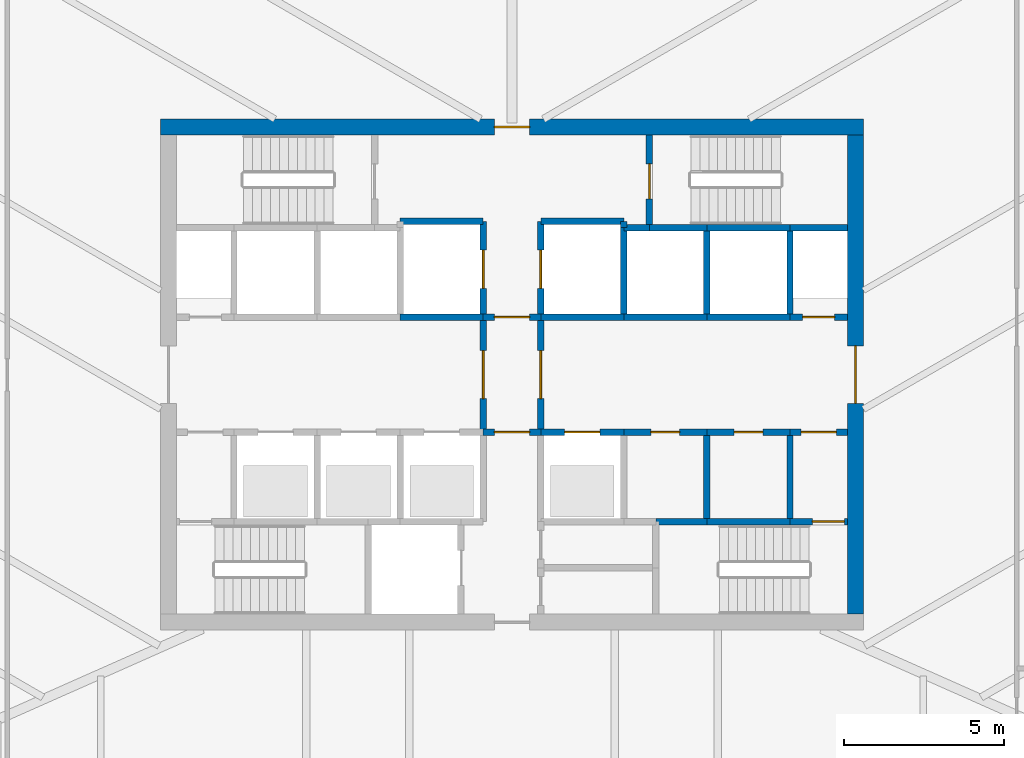
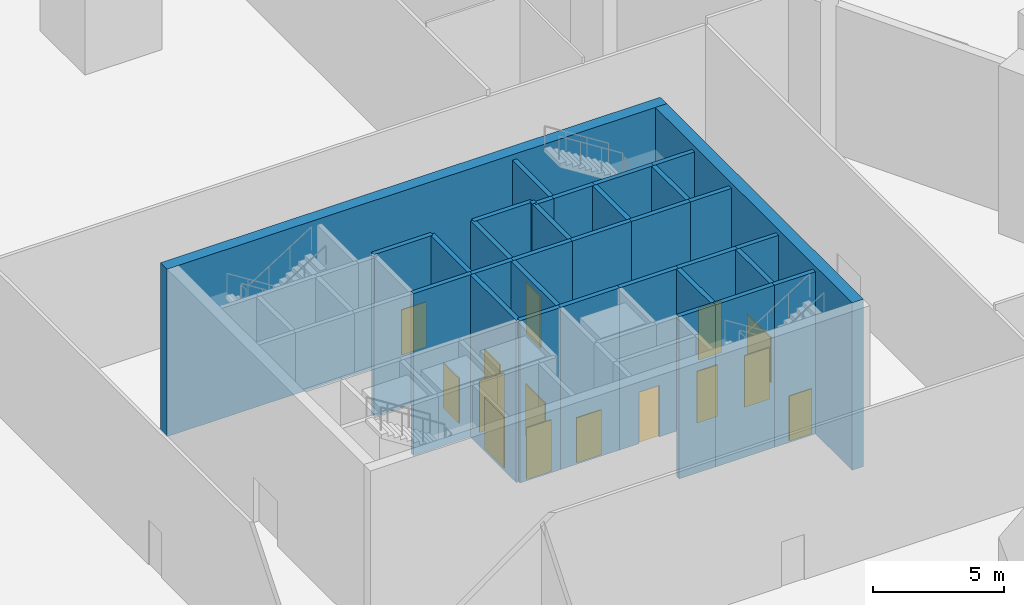
# One storey, part 10 of 20: 33 walls, 15 doors, 15 openings.
"""IFC4 building model written with IfcOpenShell, lengths in metres."""

from ifc_helpers import new_model, si_unit, direction, frame, frame_2d, origin, place, context, subcontext, project, spatial, rectangle, extrude, material, layer, layer_set, type_object, element, fill, save


model = new_model("IFC4")

# Units and contexts
model_context = context("Model", 3, precision=1e-05, world=origin(), true_north=direction((0.0, 1.0)))
body_context = subcontext(model_context, "Body", "Model", "MODEL_VIEW")
ifc_project = project(units=[si_unit("LENGTHUNIT", "METRE"), si_unit("AREAUNIT", "SQUARE_METRE"), si_unit("VOLUMEUNIT", "CUBIC_METRE"), si_unit("PLANEANGLEUNIT", "RADIAN"), si_unit("MASSUNIT", "GRAM", prefix="KILO")], contexts=[model_context])

# Site, building, storey
site_placement = place(None, origin())
site = spatial("IfcSite", under=ifc_project, at=site_placement, CompositionType="ELEMENT")
building_placement = place(site_placement, origin())
building = spatial("IfcBuilding", under=site, at=building_placement, Name="Sierra Prisma Convention Tower", CompositionType="ELEMENT")
storey_placement = place(building_placement, frame((0.0, 0.0, 9.0)))
storey = spatial("IfcBuildingStorey", under=building, at=storey_placement, Name="L01", CompositionType="ELEMENT", Elevation=9.0)

# Wall
ifc_material_1 = material(Name="Concrete C30/37", Category="concrete")
ifc_layer_1 = layer(ifc_material_1, 0.199951171875)
ifc_layer_set_1 = layer_set([ifc_layer_1], Name="Core wall RC 200 C30/37")
wall_type_1 = type_object("IfcWallType", Name="Core wall RC 200 C30/37", PredefinedType="SOLIDWALL", material=ifc_layer_set_1)
wall_1_placement = place(storey_placement, frame((-0.89990234375, 1.800048828125, 0.0), z_axis=(0.0, 0.0, 1.0), x_axis=(-1.0, 0.0, 0.0)))
element("IfcWall", 1, at=wall_1_placement, inside=storey, type_object=wall_type_1, Name="Core wall L01 24", PredefinedType="SOLIDWALL", context=body_context, shape_type="SweptSolid", body=[
    extrude(rectangle(XDim=2.60009765625, YDim=0.199951171875, at=frame_2d((1.300048828125, 0.0))), origin(), (0.0, 0.0, 1.0), 7.550048828125),
])

# Wall, opening, door
wall_2_placement = place(storey_placement, frame((-0.89990234375, 1.800048828125, 0.0), z_axis=(0.0, 0.0, 1.0), x_axis=(0.0, 1.0, 0.0)))
wall_2 = element("IfcWall", 2, at=wall_2_placement, inside=storey, type_object=wall_type_1, Name="Core wall L01 26", PredefinedType="SOLIDWALL", context=body_context, shape_type="SweptSolid", body=[
    extrude(rectangle(XDim=3.0, YDim=0.199951171875, at=frame_2d((1.5, 0.0))), origin(), (0.0, 0.0, 1.0), 7.550048828125),
])
opening_1_placement = place(wall_2_placement, frame((0.89990234375, 0.0, 0.0)))
opening_1 = element("IfcOpeningElement", 3, at=opening_1_placement, cuts=wall_2, Name="Opening L01-D005", PredefinedType="OPENING", context=body_context, shape_type="SweptSolid", body=[
    extrude(rectangle(XDim=1.199951171875, YDim=2.10009765625, at=frame_2d((0.60009765625, 1.050048828125))), frame((0.0, 0.10009765625, 0.0), z_axis=(0.0, -1.0, 0.0), x_axis=(1.0, 0.0, 0.0)), (0.0, 0.0, 1.0), 0.199951171875),
])
ifc_material_2 = material(Name="Steel fire door leaf", Category="steel")
door_type_1 = type_object("IfcDoorType", Name="Door 1200x2100 EI 90 sliding lift landing", OperationType="SLIDING_TO_LEFT", PredefinedType="DOOR", material=ifc_material_2)
door_1_placement = place(opening_1_placement, origin())
door_1 = element("IfcDoor", 4, at=door_1_placement, inside=storey, type_object=door_type_1, Name="Door L01 14", OperationType="SLIDING_TO_LEFT", OverallHeight=2.10009765625, OverallWidth=1.199951171875, PredefinedType="DOOR", context=body_context, shape_type="SweptSolid", body=[
    extrude(rectangle(XDim=1.199951171875, YDim=2.10009765625, at=frame_2d((0.60009765625, 1.050048828125))), frame((0.0, 0.02490234375, 0.0), z_axis=(0.0, -1.0, 0.0), x_axis=(1.0, 0.0, 0.0)), (0.0, 0.0, 1.0), 0.050048828125),
])
fill(opening_1, door_1)

# Wall
wall_3_placement = place(storey_placement, frame((-0.89990234375, 4.800048828125, 0.0), z_axis=(0.0, 0.0, 1.0), x_axis=(-1.0, 0.0, 0.0)))
element("IfcWall", 5, at=wall_3_placement, inside=storey, type_object=wall_type_1, Name="Core wall L01 27", PredefinedType="SOLIDWALL", context=body_context, shape_type="SweptSolid", body=[
    extrude(rectangle(XDim=2.60009765625, YDim=0.199951171875, at=frame_2d((1.300048828125, 0.0))), origin(), (0.0, 0.0, 1.0), 7.550048828125),
])

# Wall, opening, door
wall_4_placement = place(storey_placement, frame((-0.89990234375, -1.800048828125, 0.0), z_axis=(0.0, 0.0, 1.0), x_axis=(1.0, 0.0, 0.0)))
wall_4 = element("IfcWall", 6, at=wall_4_placement, inside=storey, type_object=wall_type_1, Name="Core wall L01 32", PredefinedType="SOLIDWALL", context=body_context, shape_type="SweptSolid", body=[
    extrude(rectangle(XDim=1.7998046875, YDim=0.199951171875, at=frame_2d((0.89990234375, 0.0))), origin(), (0.0, 0.0, 1.0), 7.550048828125),
])
opening_2_placement = place(wall_4_placement, frame((0.35009765625, 0.0, 0.0)))
opening_2 = element("IfcOpeningElement", 7, at=opening_2_placement, cuts=wall_4, Name="Opening L01-D013", PredefinedType="OPENING", context=body_context, shape_type="SweptSolid", body=[
    extrude(rectangle(XDim=1.10009765625, YDim=2.39990234375, at=frame_2d((0.550048828125, 1.199951171875))), frame((0.0, 0.10009765625, 0.0), z_axis=(0.0, -1.0, 0.0), x_axis=(1.0, 0.0, 0.0)), (0.0, 0.0, 1.0), 0.199951171875),
])
ifc_material_3 = material(Name="Steel fire door leaf", Category="steel")
door_type_2 = type_object("IfcDoorType", Name="Door 1100x2400 FD30S", OperationType="SINGLE_SWING_LEFT", PredefinedType="DOOR", material=ifc_material_3)
door_2_placement = place(opening_2_placement, origin())
door_2 = element("IfcDoor", 8, at=door_2_placement, inside=storey, type_object=door_type_2, Name="Door L01 22", OperationType="SINGLE_SWING_RIGHT", OverallHeight=2.39990234375, OverallWidth=1.10009765625, PredefinedType="DOOR", context=body_context, shape_type="SweptSolid", body=[
    extrude(rectangle(XDim=1.10009765625, YDim=2.39990234375, at=frame_2d((0.550048828125, 1.199951171875))), frame((0.0, 0.02490234375, 0.0), z_axis=(0.0, -1.0, 0.0), x_axis=(1.0, 0.0, 0.0)), (0.0, 0.0, 1.0), 0.050048828125),
])
fill(opening_2, door_2)

wall_5_placement = place(storey_placement, frame((-0.89990234375, 1.800048828125, 0.0), z_axis=(0.0, 0.0, 1.0), x_axis=(0.0, -1.0, 0.0)))
wall_5 = element("IfcWall", 9, at=wall_5_placement, inside=storey, type_object=wall_type_1, Name="Core wall L01 33", PredefinedType="SOLIDWALL", context=body_context, shape_type="SweptSolid", body=[
    extrude(rectangle(XDim=3.60009765625, YDim=0.199951171875, at=frame_2d((1.800048828125, 0.0))), origin(), (0.0, 0.0, 1.0), 7.550048828125),
])
opening_3_placement = place(wall_5_placement, frame((1.050048828125, 0.0, 0.0)))
opening_3 = element("IfcOpeningElement", 10, at=opening_3_placement, cuts=wall_5, Name="Opening L01-D008", PredefinedType="OPENING", context=body_context, shape_type="SweptSolid", body=[
    extrude(rectangle(XDim=1.5, YDim=2.39990234375, at=frame_2d((0.75, 1.199951171875))), frame((0.0, 0.10009765625, 0.0), z_axis=(0.0, -1.0, 0.0), x_axis=(1.0, 0.0, 0.0)), (0.0, 0.0, 1.0), 0.199951171875),
])
ifc_material_4 = material(Name="Steel fire door leaf", Category="steel")
door_type_3 = type_object("IfcDoorType", Name="Door 1500x2400 FD30S", OperationType="DOUBLE_DOOR_SINGLE_SWING", PredefinedType="DOOR", material=ifc_material_4)
door_3_placement = place(opening_3_placement, origin())
door_3 = element("IfcDoor", 11, at=door_3_placement, inside=storey, type_object=door_type_3, Name="Door L01 17", OperationType="DOUBLE_DOOR_SINGLE_SWING", OverallHeight=2.39990234375, OverallWidth=1.5, PredefinedType="DOOR", context=body_context, shape_type="SweptSolid", body=[
    extrude(rectangle(XDim=1.5, YDim=2.39990234375, at=frame_2d((0.75, 1.199951171875))), frame((0.0, 0.02490234375, 0.0), z_axis=(0.0, -1.0, 0.0), x_axis=(1.0, 0.0, 0.0)), (0.0, 0.0, 1.0), 0.050048828125),
])
fill(opening_3, door_3)

wall_6_placement = place(storey_placement, frame((0.89990234375, 1.800048828125, 0.0), z_axis=(0.0, 0.0, 1.0), x_axis=(-1.0, 0.0, 0.0)))
wall_6 = element("IfcWall", 12, at=wall_6_placement, inside=storey, type_object=wall_type_1, Name="Core wall L01 34", PredefinedType="SOLIDWALL", context=body_context, shape_type="SweptSolid", body=[
    extrude(rectangle(XDim=1.7998046875, YDim=0.199951171875, at=frame_2d((0.89990234375, 0.0))), origin(), (0.0, 0.0, 1.0), 7.550048828125),
])
opening_4_placement = place(wall_6_placement, frame((0.35009765625, 0.0, 0.0)))
opening_4 = element("IfcOpeningElement", 13, at=opening_4_placement, cuts=wall_6, Name="Opening L01-D012", PredefinedType="OPENING", context=body_context, shape_type="SweptSolid", body=[
    extrude(rectangle(XDim=1.10009765625, YDim=2.39990234375, at=frame_2d((0.550048828125, 1.199951171875))), frame((0.0, 0.10009765625, 0.0), z_axis=(0.0, -1.0, 0.0), x_axis=(1.0, 0.0, 0.0)), (0.0, 0.0, 1.0), 0.199951171875),
])
ifc_material_5 = material(Name="Steel fire door leaf", Category="steel")
door_type_4 = type_object("IfcDoorType", Name="Door 1100x2400 FD60S", OperationType="SINGLE_SWING_LEFT", PredefinedType="DOOR", material=ifc_material_5)
door_4_placement = place(opening_4_placement, origin())
door_4 = element("IfcDoor", 14, at=door_4_placement, inside=storey, type_object=door_type_4, Name="Door L01 21", OperationType="SINGLE_SWING_RIGHT", OverallHeight=2.39990234375, OverallWidth=1.10009765625, PredefinedType="DOOR", context=body_context, shape_type="SweptSolid", body=[
    extrude(rectangle(XDim=1.10009765625, YDim=2.39990234375, at=frame_2d((0.550048828125, 1.199951171875))), frame((0.0, 0.02490234375, 0.0), z_axis=(0.0, -1.0, 0.0), x_axis=(1.0, 0.0, 0.0)), (0.0, 0.0, 1.0), 0.050048828125),
])
fill(opening_4, door_4)

wall_7_placement = place(storey_placement, frame((0.89990234375, -1.800048828125, 0.0), z_axis=(0.0, 0.0, 1.0), x_axis=(1.0, 0.0, 0.0)))
wall_7 = element("IfcWall", 15, at=wall_7_placement, inside=storey, type_object=wall_type_1, Name="Core wall L01 40", PredefinedType="SOLIDWALL", context=body_context, shape_type="SweptSolid", body=[
    extrude(rectangle(XDim=2.60009765625, YDim=0.199951171875, at=frame_2d((1.300048828125, 0.0))), origin(), (0.0, 0.0, 1.0), 7.550048828125),
])
opening_5_placement = place(wall_7_placement, frame((0.75, 0.0, 0.0)))
opening_5 = element("IfcOpeningElement", 16, at=opening_5_placement, cuts=wall_7, Name="Opening L01-D004", PredefinedType="OPENING", context=body_context, shape_type="SweptSolid", body=[
    extrude(rectangle(XDim=1.10009765625, YDim=2.10009765625, at=frame_2d((0.550048828125, 1.050048828125))), frame((0.0, 0.10009765625, 0.0), z_axis=(0.0, -1.0, 0.0), x_axis=(1.0, 0.0, 0.0)), (0.0, 0.0, 1.0), 0.199951171875),
])
ifc_material_6 = material(Name="Steel fire door leaf", Category="steel")
door_type_5 = type_object("IfcDoorType", Name="Door 1100x2100 EI 90 sliding lift landing", OperationType="SLIDING_TO_LEFT", PredefinedType="DOOR", material=ifc_material_6)
door_5_placement = place(opening_5_placement, origin())
door_5 = element("IfcDoor", 17, at=door_5_placement, inside=storey, type_object=door_type_5, Name="Door L01 13", OperationType="SLIDING_TO_LEFT", OverallHeight=2.10009765625, OverallWidth=1.10009765625, PredefinedType="DOOR", context=body_context, shape_type="SweptSolid", body=[
    extrude(rectangle(XDim=1.10009765625, YDim=2.10009765625, at=frame_2d((0.550048828125, 1.050048828125))), frame((0.0, 0.02490234375, 0.0), z_axis=(0.0, -1.0, 0.0), x_axis=(1.0, 0.0, 0.0)), (0.0, 0.0, 1.0), 0.050048828125),
])
fill(opening_5, door_5)

wall_8_placement = place(storey_placement, frame((0.89990234375, -1.800048828125, 0.0), z_axis=(0.0, 0.0, 1.0), x_axis=(0.0, 1.0, 0.0)))
wall_8 = element("IfcWall", 18, at=wall_8_placement, inside=storey, type_object=wall_type_1, Name="Core wall L01 41", PredefinedType="SOLIDWALL", context=body_context, shape_type="SweptSolid", body=[
    extrude(rectangle(XDim=3.60009765625, YDim=0.199951171875, at=frame_2d((1.800048828125, 0.0))), origin(), (0.0, 0.0, 1.0), 7.550048828125),
])
opening_6_placement = place(wall_8_placement, frame((1.050048828125, 0.0, 0.0)))
opening_6 = element("IfcOpeningElement", 19, at=opening_6_placement, cuts=wall_8, Name="Opening L01-D009", PredefinedType="OPENING", context=body_context, shape_type="SweptSolid", body=[
    extrude(rectangle(XDim=1.5, YDim=2.39990234375, at=frame_2d((0.75, 1.199951171875))), frame((0.0, 0.10009765625, 0.0), z_axis=(0.0, -1.0, 0.0), x_axis=(1.0, 0.0, 0.0)), (0.0, 0.0, 1.0), 0.199951171875),
])
door_6_placement = place(opening_6_placement, origin())
door_6 = element("IfcDoor", 20, at=door_6_placement, inside=storey, type_object=door_type_3, Name="Door L01 18", OperationType="DOUBLE_DOOR_SINGLE_SWING", OverallHeight=2.39990234375, OverallWidth=1.5, PredefinedType="DOOR", context=body_context, shape_type="SweptSolid", body=[
    extrude(rectangle(XDim=1.5, YDim=2.39990234375, at=frame_2d((0.75, 1.199951171875))), frame((0.0, 0.02490234375, 0.0), z_axis=(0.0, -1.0, 0.0), x_axis=(1.0, 0.0, 0.0)), (0.0, 0.0, 1.0), 0.050048828125),
])
fill(opening_6, door_6)

# Walls
wall_9_placement = place(storey_placement, frame((3.5, 1.800048828125, 0.0), z_axis=(0.0, 0.0, 1.0), x_axis=(-1.0, 0.0, 0.0)))
element("IfcWall", 21, at=wall_9_placement, inside=storey, type_object=wall_type_1, Name="Core wall L01 42", PredefinedType="SOLIDWALL", context=body_context, shape_type="SweptSolid", body=[
    extrude(rectangle(XDim=2.60009765625, YDim=0.199951171875, at=frame_2d((1.300048828125, 0.0))), origin(), (0.0, 0.0, 1.0), 7.550048828125),
])
wall_10_placement = place(storey_placement, frame((3.5, 4.60009765625, 0.0), z_axis=(0.0, 0.0, 1.0), x_axis=(0.0, 1.0, 0.0)))
element("IfcWall", 22, at=wall_10_placement, inside=storey, type_object=wall_type_1, Name="Core wall L01 43", PredefinedType="SOLIDWALL", context=body_context, shape_type="SweptSolid", body=[
    extrude(rectangle(XDim=0.199951171875, YDim=0.199951171875, at=frame_2d((0.10009765625, 0.0))), origin(), (0.0, 0.0, 1.0), 7.550048828125),
])
wall_11_placement = place(storey_placement, frame((3.5, 4.800048828125, 0.0), z_axis=(0.0, 0.0, 1.0), x_axis=(-1.0, 0.0, 0.0)))
element("IfcWall", 23, at=wall_11_placement, inside=storey, type_object=wall_type_1, Name="Core wall L01 44", PredefinedType="SOLIDWALL", context=body_context, shape_type="SweptSolid", body=[
    extrude(rectangle(XDim=2.60009765625, YDim=0.199951171875, at=frame_2d((1.300048828125, 0.0))), origin(), (0.0, 0.0, 1.0), 7.550048828125),
])

# Wall, opening, door
wall_12_placement = place(storey_placement, frame((0.89990234375, 4.800048828125, 0.0), z_axis=(0.0, 0.0, 1.0), x_axis=(0.0, -1.0, 0.0)))
wall_12 = element("IfcWall", 24, at=wall_12_placement, inside=storey, type_object=wall_type_1, Name="Core wall L01 45", PredefinedType="SOLIDWALL", context=body_context, shape_type="SweptSolid", body=[
    extrude(rectangle(XDim=3.0, YDim=0.199951171875, at=frame_2d((1.5, 0.0))), origin(), (0.0, 0.0, 1.0), 7.550048828125),
])
opening_7_placement = place(wall_12_placement, frame((0.89990234375, 0.0, 0.0)))
opening_7 = element("IfcOpeningElement", 25, at=opening_7_placement, cuts=wall_12, Name="Opening L01-D006", PredefinedType="OPENING", context=body_context, shape_type="SweptSolid", body=[
    extrude(rectangle(XDim=1.199951171875, YDim=2.10009765625, at=frame_2d((0.60009765625, 1.050048828125))), frame((0.0, 0.10009765625, 0.0), z_axis=(0.0, -1.0, 0.0), x_axis=(1.0, 0.0, 0.0)), (0.0, 0.0, 1.0), 0.199951171875),
])
door_7_placement = place(opening_7_placement, origin())
door_7 = element("IfcDoor", 26, at=door_7_placement, inside=storey, type_object=door_type_1, Name="Door L01 15", OperationType="SLIDING_TO_LEFT", OverallHeight=2.10009765625, OverallWidth=1.199951171875, PredefinedType="DOOR", context=body_context, shape_type="SweptSolid", body=[
    extrude(rectangle(XDim=1.199951171875, YDim=2.10009765625, at=frame_2d((0.60009765625, 1.050048828125))), frame((0.0, 0.02490234375, 0.0), z_axis=(0.0, -1.0, 0.0), x_axis=(1.0, 0.0, 0.0)), (0.0, 0.0, 1.0), 0.050048828125),
])
fill(opening_7, door_7)

wall_13_placement = place(storey_placement, frame((6.10009765625, -1.800048828125, 0.0), z_axis=(0.0, 0.0, 1.0), x_axis=(-1.0, 0.0, 0.0)))
wall_13 = element("IfcWall", 27, at=wall_13_placement, inside=storey, type_object=wall_type_1, Name="Core wall L01 48", PredefinedType="SOLIDWALL", context=body_context, shape_type="SweptSolid", body=[
    extrude(rectangle(XDim=2.60009765625, YDim=0.199951171875, at=frame_2d((1.300048828125, 0.0))), origin(), (0.0, 0.0, 1.0), 7.550048828125),
])
opening_8_placement = place(wall_13_placement, frame((0.85009765625, 0.0, 0.0)))
opening_8 = element("IfcOpeningElement", 28, at=opening_8_placement, cuts=wall_13, Name="Opening L01-D020", PredefinedType="OPENING", context=body_context, shape_type="SweptSolid", body=[
    extrude(rectangle(XDim=0.89990234375, YDim=2.39990234375, at=frame_2d((0.449951171875, 1.199951171875))), frame((0.0, 0.10009765625, 0.0), z_axis=(0.0, -1.0, 0.0), x_axis=(1.0, 0.0, 0.0)), (0.0, 0.0, 1.0), 0.199951171875),
])
ifc_material_7 = material(Name="Steel fire door leaf", Category="steel")
door_type_6 = type_object("IfcDoorType", Name="Door 900x2400 FD30S", OperationType="SINGLE_SWING_LEFT", PredefinedType="DOOR", material=ifc_material_7)
door_8_placement = place(opening_8_placement, origin())
door_8 = element("IfcDoor", 29, at=door_8_placement, inside=storey, type_object=door_type_6, Name="Door L01 29", OperationType="SINGLE_SWING_LEFT", OverallHeight=2.39990234375, OverallWidth=0.89990234375, PredefinedType="DOOR", context=body_context, shape_type="SweptSolid", body=[
    extrude(rectangle(XDim=0.89990234375, YDim=2.39990234375, at=frame_2d((0.449951171875, 1.199951171875))), frame((0.0, 0.02490234375, 0.0), z_axis=(0.0, -1.0, 0.0), x_axis=(1.0, 0.0, 0.0)), (0.0, 0.0, 1.0), 0.050048828125),
])
fill(opening_8, door_8)

# Walls
wall_14_placement = place(storey_placement, frame((6.10009765625, 1.800048828125, 0.0), z_axis=(0.0, 0.0, 1.0), x_axis=(-1.0, 0.0, 0.0)))
element("IfcWall", 30, at=wall_14_placement, inside=storey, type_object=wall_type_1, Name="Core wall L01 49", PredefinedType="SOLIDWALL", context=body_context, shape_type="SweptSolid", body=[
    extrude(rectangle(XDim=2.60009765625, YDim=0.199951171875, at=frame_2d((1.300048828125, 0.0))), origin(), (0.0, 0.0, 1.0), 7.550048828125),
])
wall_15_placement = place(storey_placement, frame((3.5, 1.800048828125, 0.0), z_axis=(0.0, 0.0, 1.0), x_axis=(0.0, 1.0, 0.0)))
element("IfcWall", 31, at=wall_15_placement, inside=storey, type_object=wall_type_1, Name="Core wall L01 50", PredefinedType="SOLIDWALL", context=body_context, shape_type="SweptSolid", body=[
    extrude(rectangle(XDim=2.800048828125, YDim=0.199951171875, at=frame_2d((1.39990234375, 0.0))), origin(), (0.0, 0.0, 1.0), 7.550048828125),
])
wall_16_placement = place(storey_placement, frame((4.300048828125, 4.60009765625, 0.0), z_axis=(0.0, 0.0, 1.0), x_axis=(-1.0, 0.0, 0.0)))
element("IfcWall", 32, at=wall_16_placement, inside=storey, type_object=wall_type_1, Name="Core wall L01 51", PredefinedType="SOLIDWALL", context=body_context, shape_type="SweptSolid", body=[
    extrude(rectangle(XDim=0.800048828125, YDim=0.199951171875, at=frame_2d((0.39990234375, 0.0))), origin(), (0.0, 0.0, 1.0), 7.550048828125),
])
wall_17_placement = place(storey_placement, frame((6.10009765625, 4.60009765625, 0.0), z_axis=(0.0, 0.0, 1.0), x_axis=(-1.0, 0.0, 0.0)))
element("IfcWall", 33, at=wall_17_placement, inside=storey, type_object=wall_type_1, Name="Core wall L01 52", PredefinedType="SOLIDWALL", context=body_context, shape_type="SweptSolid", body=[
    extrude(rectangle(XDim=1.800048828125, YDim=0.199951171875, at=frame_2d((0.89990234375, 0.0))), origin(), (0.0, 0.0, 1.0), 7.550048828125),
])

# Wall, opening, door
wall_18_placement = place(storey_placement, frame((4.300048828125, 7.5, 0.0), z_axis=(0.0, 0.0, 1.0), x_axis=(0.0, -1.0, 0.0)))
wall_18 = element("IfcWall", 34, at=wall_18_placement, inside=storey, type_object=wall_type_1, Name="Core wall L01 53", PredefinedType="SOLIDWALL", context=body_context, shape_type="SweptSolid", body=[
    extrude(rectangle(XDim=2.89990234375, YDim=0.199951171875, at=frame_2d((1.449951171875, 0.0))), origin(), (0.0, 0.0, 1.0), 7.550048828125),
])
opening_9_placement = place(wall_18_placement, frame((0.89990234375, 0.0, 0.0)))
opening_9 = element("IfcOpeningElement", 35, at=opening_9_placement, cuts=wall_18, Name="Opening L01-D019", PredefinedType="OPENING", context=body_context, shape_type="SweptSolid", body=[
    extrude(rectangle(XDim=1.10009765625, YDim=2.39990234375, at=frame_2d((0.550048828125, 1.199951171875))), frame((0.0, 0.10009765625, 0.0), z_axis=(0.0, -1.0, 0.0), x_axis=(1.0, 0.0, 0.0)), (0.0, 0.0, 1.0), 0.199951171875),
])
ifc_material_8 = material(Name="Steel fire door leaf", Category="steel")
door_type_7 = type_object("IfcDoorType", Name="Door 1100x2400 FD90S", OperationType="SINGLE_SWING_LEFT", PredefinedType="DOOR", material=ifc_material_8)
door_9_placement = place(opening_9_placement, origin())
door_9 = element("IfcDoor", 36, at=door_9_placement, inside=storey, type_object=door_type_7, Name="Door L01 28", OperationType="SINGLE_SWING_RIGHT", OverallHeight=2.39990234375, OverallWidth=1.10009765625, PredefinedType="DOOR", context=body_context, shape_type="SweptSolid", body=[
    extrude(rectangle(XDim=1.10009765625, YDim=2.39990234375, at=frame_2d((0.550048828125, 1.199951171875))), frame((0.0, 0.02490234375, 0.0), z_axis=(0.0, -1.0, 0.0), x_axis=(1.0, 0.0, 0.0)), (0.0, 0.0, 1.0), 0.050048828125),
])
fill(opening_9, door_9)

# Walls
wall_19_placement = place(storey_placement, frame((4.5, -4.60009765625, 0.0), z_axis=(0.0, 0.0, 1.0), x_axis=(1.0, 0.0, 0.0)))
element("IfcWall", 37, at=wall_19_placement, inside=storey, type_object=wall_type_1, Name="Core wall L01 56", PredefinedType="SOLIDWALL", context=body_context, shape_type="SweptSolid", body=[
    extrude(rectangle(XDim=1.60009765625, YDim=0.199951171875, at=frame_2d((0.800048828125, 0.0))), origin(), (0.0, 0.0, 1.0), 7.550048828125),
])
wall_20_placement = place(storey_placement, frame((6.10009765625, -4.60009765625, 0.0), z_axis=(0.0, 0.0, 1.0), x_axis=(1.0, 0.0, 0.0)))
element("IfcWall", 38, at=wall_20_placement, inside=storey, type_object=wall_type_1, Name="Core wall L01 57", PredefinedType="SOLIDWALL", context=body_context, shape_type="SweptSolid", body=[
    extrude(rectangle(XDim=2.599853515625, YDim=0.199951171875, at=frame_2d((1.2998046875, 0.0))), origin(), (0.0, 0.0, 1.0), 7.550048828125),
])
wall_21_placement = place(storey_placement, frame((6.10009765625, -4.60009765625, 0.0), z_axis=(0.0, 0.0, 1.0), x_axis=(0.0, 1.0, 0.0)))
element("IfcWall", 39, at=wall_21_placement, inside=storey, type_object=wall_type_1, Name="Core wall L01 58", PredefinedType="SOLIDWALL", context=body_context, shape_type="SweptSolid", body=[
    extrude(rectangle(XDim=2.800048828125, YDim=0.199951171875, at=frame_2d((1.39990234375, 0.0))), origin(), (0.0, 0.0, 1.0), 7.550048828125),
])

# Wall, opening, door
wall_22_placement = place(storey_placement, frame((8.699951171875, -1.800048828125, 0.0), z_axis=(0.0, 0.0, 1.0), x_axis=(-1.0, 0.0, 0.0)))
wall_22 = element("IfcWall", 40, at=wall_22_placement, inside=storey, type_object=wall_type_1, Name="Core wall L01 59", PredefinedType="SOLIDWALL", context=body_context, shape_type="SweptSolid", body=[
    extrude(rectangle(XDim=2.599853515625, YDim=0.199951171875, at=frame_2d((1.2998046875, 0.0))), origin(), (0.0, 0.0, 1.0), 7.550048828125),
])
opening_10_placement = place(wall_22_placement, frame((0.85009765625, 0.0, 0.0)))
opening_10 = element("IfcOpeningElement", 41, at=opening_10_placement, cuts=wall_22, Name="Opening L01-D021", PredefinedType="OPENING", context=body_context, shape_type="SweptSolid", body=[
    extrude(rectangle(XDim=0.89990234375, YDim=2.39990234375, at=frame_2d((0.449951171875, 1.199951171875))), frame((0.0, 0.10009765625, 0.0), z_axis=(0.0, -1.0, 0.0), x_axis=(1.0, 0.0, 0.0)), (0.0, 0.0, 1.0), 0.199951171875),
])
door_10_placement = place(opening_10_placement, origin())
door_10 = element("IfcDoor", 42, at=door_10_placement, inside=storey, type_object=door_type_6, Name="Door L01 30", OperationType="SINGLE_SWING_RIGHT", OverallHeight=2.39990234375, OverallWidth=0.89990234375, PredefinedType="DOOR", context=body_context, shape_type="SweptSolid", body=[
    extrude(rectangle(XDim=0.89990234375, YDim=2.39990234375, at=frame_2d((0.449951171875, 1.199951171875))), frame((0.0, 0.02490234375, 0.0), z_axis=(0.0, -1.0, 0.0), x_axis=(1.0, 0.0, 0.0)), (0.0, 0.0, 1.0), 0.050048828125),
])
fill(opening_10, door_10)

# Walls
wall_23_placement = place(storey_placement, frame((8.699951171875, 1.800048828125, 0.0), z_axis=(0.0, 0.0, 1.0), x_axis=(-1.0, 0.0, 0.0)))
element("IfcWall", 43, at=wall_23_placement, inside=storey, type_object=wall_type_1, Name="Core wall L01 60", PredefinedType="SOLIDWALL", context=body_context, shape_type="SweptSolid", body=[
    extrude(rectangle(XDim=2.599853515625, YDim=0.199951171875, at=frame_2d((1.2998046875, 0.0))), origin(), (0.0, 0.0, 1.0), 7.550048828125),
])
wall_24_placement = place(storey_placement, frame((6.10009765625, 1.800048828125, 0.0), z_axis=(0.0, 0.0, 1.0), x_axis=(0.0, 1.0, 0.0)))
element("IfcWall", 44, at=wall_24_placement, inside=storey, type_object=wall_type_1, Name="Core wall L01 61", PredefinedType="SOLIDWALL", context=body_context, shape_type="SweptSolid", body=[
    extrude(rectangle(XDim=2.800048828125, YDim=0.199951171875, at=frame_2d((1.39990234375, 0.0))), origin(), (0.0, 0.0, 1.0), 7.550048828125),
])
wall_25_placement = place(storey_placement, frame((8.699951171875, 4.60009765625, 0.0), z_axis=(0.0, 0.0, 1.0), x_axis=(-1.0, 0.0, 0.0)))
element("IfcWall", 45, at=wall_25_placement, inside=storey, type_object=wall_type_1, Name="Core wall L01 62", PredefinedType="SOLIDWALL", context=body_context, shape_type="SweptSolid", body=[
    extrude(rectangle(XDim=2.599853515625, YDim=0.199951171875, at=frame_2d((1.2998046875, 0.0))), origin(), (0.0, 0.0, 1.0), 7.550048828125),
])

# Wall, opening, door
wall_26_placement = place(storey_placement, frame((8.699951171875, -4.60009765625, 0.0), z_axis=(0.0, 0.0, 1.0), x_axis=(1.0, 0.0, 0.0)))
wall_26 = element("IfcWall", 46, at=wall_26_placement, inside=storey, type_object=wall_type_1, Name="Core wall L01 63", PredefinedType="SOLIDWALL", context=body_context, shape_type="SweptSolid", body=[
    extrude(rectangle(XDim=1.800048828125, YDim=0.199951171875, at=frame_2d((0.89990234375, 0.0))), origin(), (0.0, 0.0, 1.0), 7.550048828125),
])
opening_11_placement = place(wall_26_placement, frame((0.699951171875, 0.0, 0.0)))
opening_11 = element("IfcOpeningElement", 47, at=opening_11_placement, cuts=wall_26, Name="Opening L01-D017", PredefinedType="OPENING", context=body_context, shape_type="SweptSolid", body=[
    extrude(rectangle(XDim=1.0, YDim=2.10009765625, at=frame_2d((0.5, 1.050048828125))), frame((0.0, 0.10009765625, 0.0), z_axis=(0.0, -1.0, 0.0), x_axis=(1.0, 0.0, 0.0)), (0.0, 0.0, 1.0), 0.199951171875),
])
ifc_material_9 = material(Name="Steel fire door leaf", Category="steel")
door_type_8 = type_object("IfcDoorType", Name="Door 1000x2100 FD90S", OperationType="SINGLE_SWING_LEFT", PredefinedType="DOOR", material=ifc_material_9)
door_11_placement = place(opening_11_placement, origin())
door_11 = element("IfcDoor", 48, at=door_11_placement, inside=storey, type_object=door_type_8, Name="Door L01 26", OperationType="SINGLE_SWING_RIGHT", OverallHeight=2.10009765625, OverallWidth=1.0, PredefinedType="DOOR", context=body_context, shape_type="SweptSolid", body=[
    extrude(rectangle(XDim=1.0, YDim=2.10009765625, at=frame_2d((0.5, 1.050048828125))), frame((0.0, 0.02490234375, 0.0), z_axis=(0.0, -1.0, 0.0), x_axis=(1.0, 0.0, 0.0)), (0.0, 0.0, 1.0), 0.050048828125),
])
fill(opening_11, door_11)

# Wall
wall_27_placement = place(storey_placement, frame((8.699951171875, -4.60009765625, 0.0), z_axis=(0.0, 0.0, 1.0), x_axis=(0.0, 1.0, 0.0)))
element("IfcWall", 49, at=wall_27_placement, inside=storey, type_object=wall_type_1, Name="Core wall L01 64", PredefinedType="SOLIDWALL", context=body_context, shape_type="SweptSolid", body=[
    extrude(rectangle(XDim=2.800048828125, YDim=0.199951171875, at=frame_2d((1.39990234375, 0.0))), origin(), (0.0, 0.0, 1.0), 7.550048828125),
])

# Wall, opening, door
wall_28_placement = place(storey_placement, frame((8.699951171875, -1.800048828125, 0.0), z_axis=(0.0, 0.0, 1.0), x_axis=(1.0, 0.0, 0.0)))
wall_28 = element("IfcWall", 50, at=wall_28_placement, inside=storey, type_object=wall_type_1, Name="Core wall L01 65", PredefinedType="SOLIDWALL", context=body_context, shape_type="SweptSolid", body=[
    extrude(rectangle(XDim=1.800048828125, YDim=0.199951171875, at=frame_2d((0.89990234375, 0.0))), origin(), (0.0, 0.0, 1.0), 7.550048828125),
])
opening_12_placement = place(wall_28_placement, frame((0.35009765625, 0.0, 0.0)))
opening_12 = element("IfcOpeningElement", 51, at=opening_12_placement, cuts=wall_28, Name="Opening L01-D011", PredefinedType="OPENING", context=body_context, shape_type="SweptSolid", body=[
    extrude(rectangle(XDim=1.10009765625, YDim=2.39990234375, at=frame_2d((0.550048828125, 1.199951171875))), frame((0.0, 0.10009765625, 0.0), z_axis=(0.0, -1.0, 0.0), x_axis=(1.0, 0.0, 0.0)), (0.0, 0.0, 1.0), 0.199951171875),
])
door_12_placement = place(opening_12_placement, origin())
door_12 = element("IfcDoor", 52, at=door_12_placement, inside=storey, type_object=door_type_7, Name="Door L01 20", OperationType="SINGLE_SWING_RIGHT", OverallHeight=2.39990234375, OverallWidth=1.10009765625, PredefinedType="DOOR", context=body_context, shape_type="SweptSolid", body=[
    extrude(rectangle(XDim=1.10009765625, YDim=2.39990234375, at=frame_2d((0.550048828125, 1.199951171875))), frame((0.0, 0.02490234375, 0.0), z_axis=(0.0, -1.0, 0.0), x_axis=(1.0, 0.0, 0.0)), (0.0, 0.0, 1.0), 0.050048828125),
])
fill(opening_12, door_12)

wall_29_placement = place(storey_placement, frame((10.5, 1.800048828125, 0.0), z_axis=(0.0, 0.0, 1.0), x_axis=(-1.0, 0.0, 0.0)))
wall_29 = element("IfcWall", 53, at=wall_29_placement, inside=storey, type_object=wall_type_1, Name="Core wall L01 66", PredefinedType="SOLIDWALL", context=body_context, shape_type="SweptSolid", body=[
    extrude(rectangle(XDim=1.800048828125, YDim=0.199951171875, at=frame_2d((0.89990234375, 0.0))), origin(), (0.0, 0.0, 1.0), 7.550048828125),
])
opening_13_placement = place(wall_29_placement, frame((0.39990234375, 0.0, 0.0)))
opening_13 = element("IfcOpeningElement", 54, at=opening_13_placement, cuts=wall_29, Name="Opening L01-D015", PredefinedType="OPENING", context=body_context, shape_type="SweptSolid", body=[
    extrude(rectangle(XDim=1.0, YDim=2.39990234375, at=frame_2d((0.5, 1.199951171875))), frame((0.0, 0.10009765625, 0.0), z_axis=(0.0, -1.0, 0.0), x_axis=(1.0, 0.0, 0.0)), (0.0, 0.0, 1.0), 0.199951171875),
])
ifc_material_10 = material(Name="Steel fire door leaf", Category="steel")
door_type_9 = type_object("IfcDoorType", Name="Door 1000x2400 FD60S", OperationType="SINGLE_SWING_LEFT", PredefinedType="DOOR", material=ifc_material_10)
door_13_placement = place(opening_13_placement, origin())
door_13 = element("IfcDoor", 55, at=door_13_placement, inside=storey, type_object=door_type_9, Name="Door L01 24", OperationType="SINGLE_SWING_RIGHT", OverallHeight=2.39990234375, OverallWidth=1.0, PredefinedType="DOOR", context=body_context, shape_type="SweptSolid", body=[
    extrude(rectangle(XDim=1.0, YDim=2.39990234375, at=frame_2d((0.5, 1.199951171875))), frame((0.0, 0.02490234375, 0.0), z_axis=(0.0, -1.0, 0.0), x_axis=(1.0, 0.0, 0.0)), (0.0, 0.0, 1.0), 0.050048828125),
])
fill(opening_13, door_13)

# Walls
wall_30_placement = place(storey_placement, frame((8.699951171875, 4.60009765625, 0.0), z_axis=(0.0, 0.0, 1.0), x_axis=(0.0, -1.0, 0.0)))
element("IfcWall", 56, at=wall_30_placement, inside=storey, type_object=wall_type_1, Name="Core wall L01 67", PredefinedType="SOLIDWALL", context=body_context, shape_type="SweptSolid", body=[
    extrude(rectangle(XDim=2.800048828125, YDim=0.199951171875, at=frame_2d((1.39990234375, 0.0))), origin(), (0.0, 0.0, 1.0), 7.550048828125),
])
wall_31_placement = place(storey_placement, frame((10.5, 4.60009765625, 0.0), z_axis=(0.0, 0.0, 1.0), x_axis=(-1.0, 0.0, 0.0)))
element("IfcWall", 57, at=wall_31_placement, inside=storey, type_object=wall_type_1, Name="Core wall L01 68", PredefinedType="SOLIDWALL", context=body_context, shape_type="SweptSolid", body=[
    extrude(rectangle(XDim=1.800048828125, YDim=0.199951171875, at=frame_2d((0.89990234375, 0.0))), origin(), (0.0, 0.0, 1.0), 7.550048828125),
])

# Wall, opening, door
ifc_material_11 = material(Name="Concrete C70/85", Category="concrete")
ifc_layer_2 = layer(ifc_material_11, 0.5)
ifc_layer_set_2 = layer_set([ifc_layer_2], Name="Core wall RC 500 C70/85")
wall_type_2 = type_object("IfcWallType", Name="Core wall RC 500 C70/85", PredefinedType="SHEAR", material=ifc_layer_set_2)
wall_32_placement = place(storey_placement, frame((-11.0, 7.75, 0.0), z_axis=(0.0, 0.0, 1.0), x_axis=(1.0, 0.0, 0.0)))
wall_32 = element("IfcWall", 58, at=wall_32_placement, inside=storey, type_object=wall_type_2, Name="Core wall N L01", PredefinedType="SHEAR", context=body_context, shape_type="SweptSolid", body=[
    extrude(rectangle(XDim=22.0, YDim=0.5, at=frame_2d((11.0, 0.0))), origin(), (0.0, 0.0, 1.0), 7.800048828125),
])
opening_14_placement = place(wall_32_placement, frame((10.449951171875, 0.0, 0.0)))
opening_14 = element("IfcOpeningElement", 59, at=opening_14_placement, cuts=wall_32, Name="Opening L01-D052", PredefinedType="OPENING", context=body_context, shape_type="SweptSolid", body=[
    extrude(rectangle(XDim=1.10009765625, YDim=2.10009765625, at=frame_2d((0.550048828125, 1.050048828125))), frame((0.0, 0.25, 0.0), z_axis=(0.0, -1.0, 0.0), x_axis=(1.0, 0.0, 0.0)), (0.0, 0.0, 1.0), 0.5),
])
ifc_material_12 = material(Name="Steel fire door leaf", Category="steel")
door_type_10 = type_object("IfcDoorType", Name="Door 1100x2100 FD60S", OperationType="SINGLE_SWING_LEFT", PredefinedType="DOOR", material=ifc_material_12)
door_14_placement = place(opening_14_placement, origin())
door_14 = element("IfcDoor", 60, at=door_14_placement, inside=storey, type_object=door_type_10, Name="Door L01 35", OperationType="SINGLE_SWING_RIGHT", OverallHeight=2.10009765625, OverallWidth=1.10009765625, PredefinedType="DOOR", context=body_context, shape_type="SweptSolid", body=[
    extrude(rectangle(XDim=1.10009765625, YDim=2.10009765625, at=frame_2d((0.550048828125, 1.050048828125))), frame((0.0, 0.02490234375, 0.0), z_axis=(0.0, -1.0, 0.0), x_axis=(1.0, 0.0, 0.0)), (0.0, 0.0, 1.0), 0.050048828125),
])
fill(opening_14, door_14)

wall_33_placement = place(storey_placement, frame((10.75, -7.5, 0.0), z_axis=(0.0, 0.0, 1.0), x_axis=(0.0, 1.0, 0.0)))
wall_33 = element("IfcWall", 61, at=wall_33_placement, inside=storey, type_object=wall_type_2, Name="Core wall E L01", PredefinedType="SHEAR", context=body_context, shape_type="SweptSolid", body=[
    extrude(rectangle(XDim=15.0, YDim=0.5, at=frame_2d((7.5, 0.0))), origin(), (0.0, 0.0, 1.0), 7.800048828125),
])
opening_15_placement = place(wall_33_placement, frame((6.60009765625, 0.0, 0.0)))
opening_15 = element("IfcOpeningElement", 62, at=opening_15_placement, cuts=wall_33, Name="Opening L01-D051", PredefinedType="OPENING", context=body_context, shape_type="SweptSolid", body=[
    extrude(rectangle(XDim=1.800048828125, YDim=2.10009765625, at=frame_2d((0.89990234375, 1.050048828125))), frame((0.0, 0.25, 0.0), z_axis=(0.0, -1.0, 0.0), x_axis=(1.0, 0.0, 0.0)), (0.0, 0.0, 1.0), 0.5),
])
ifc_material_13 = material(Name="Steel fire door leaf", Category="steel")
door_type_11 = type_object("IfcDoorType", Name="Door 1800x2100 FD60S", OperationType="DOUBLE_DOOR_SINGLE_SWING", PredefinedType="DOOR", material=ifc_material_13)
door_15_placement = place(opening_15_placement, origin())
door_15 = element("IfcDoor", 63, at=door_15_placement, inside=storey, type_object=door_type_11, Name="Door L01 34", OperationType="DOUBLE_DOOR_SINGLE_SWING", OverallHeight=2.10009765625, OverallWidth=1.800048828125, PredefinedType="DOOR", context=body_context, shape_type="SweptSolid", body=[
    extrude(rectangle(XDim=1.800048828125, YDim=2.10009765625, at=frame_2d((0.89990234375, 1.050048828125))), frame((0.0, 0.02490234375, 0.0), z_axis=(0.0, -1.0, 0.0), x_axis=(1.0, 0.0, 0.0)), (0.0, 0.0, 1.0), 0.050048828125),
])
fill(opening_15, door_15)

save(model, "model.ifc")
